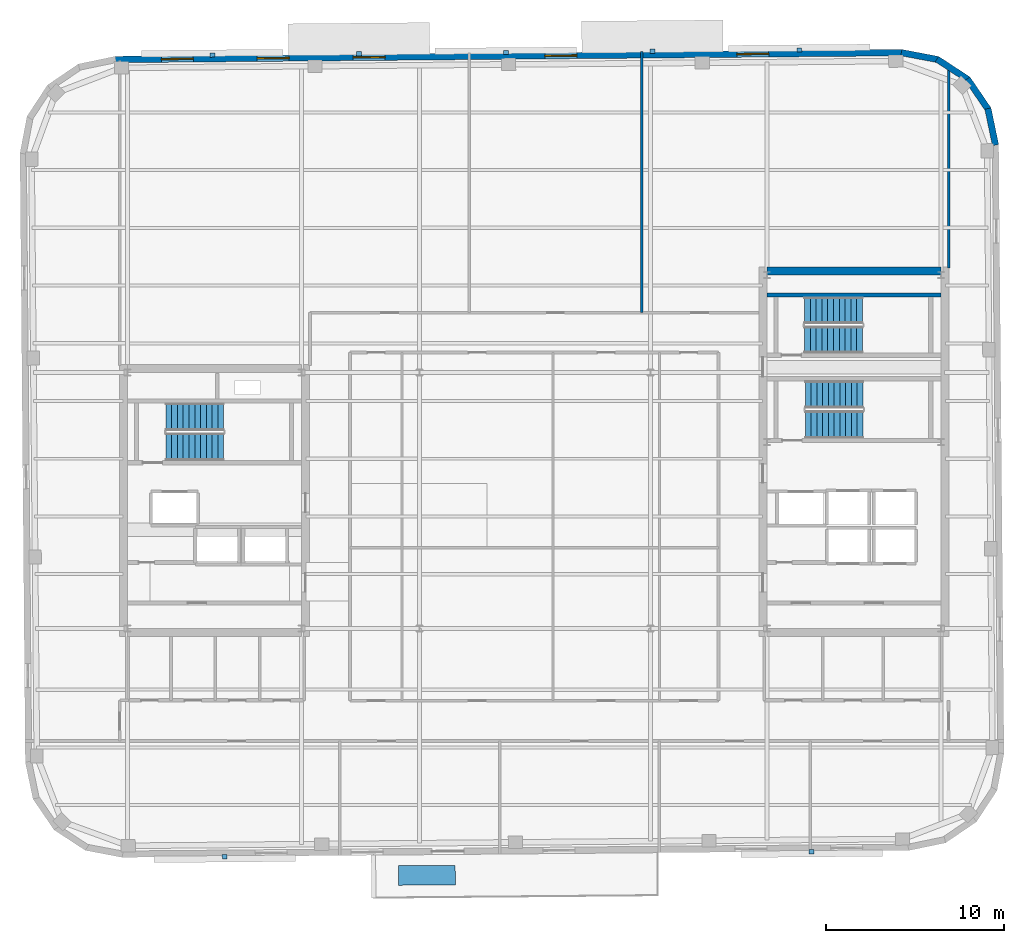
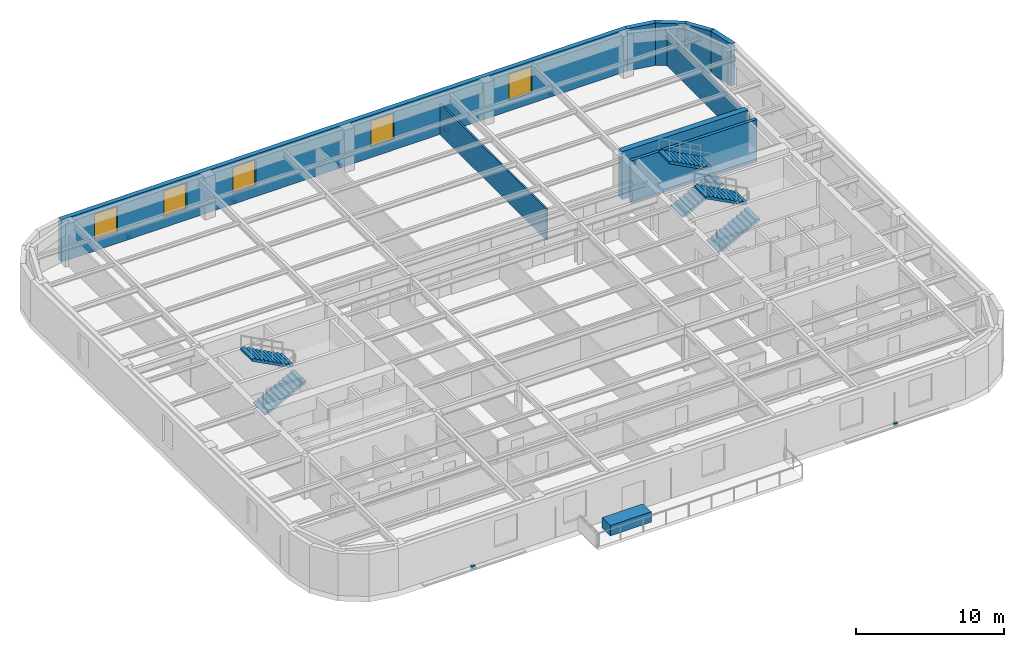
# One storey, part 10 of 14: 9 walls, 8 discrete accessories, 6 stair flights, 5 windows, 5 openings, 3 elements without a shape of their own.
"""IFC4 building model written with IfcOpenShell, lengths in metres."""

import ifcopenshell
import ifcopenshell.guid

model = None  # the IFC model being written
_history = None  # IfcOwnerHistory: only IFC2X3 demands one
_inside = {}  # id of a spatial element -> (the spatial element, [elements in it])
_under = {}  # id of a project, library or spatial element -> (it, [spatial elements below it])
_declared = {}  # id of a project -> (the project, [libraries it declares])
_typed = {}  # id of a type object -> (the type object, [elements of that type])
_made_of = {}  # id of a material, layer set ... -> (it, [elements and type objects made of it])


def new_model(schema):
    """Start an empty IFC model of exactly this schema.

    Asked for "IFC4X3", IfcOpenShell would pick the latest addendum, in which some entities
    have other attributes; the version numbers below select the first issue.
    IFC2X3 requires an IfcOwnerHistory on every rooted entity: one is made here for all.
    """
    global model, _history
    if schema == "IFC4X3":
        model = ifcopenshell.file(schema_version=(4, 3, 0, 0))
    else:
        model = ifcopenshell.file(schema=schema)
    _inside.clear()
    _under.clear()
    _declared.clear()
    _typed.clear()
    _made_of.clear()
    _history = None
    if model.schema == "IFC2X3":
        org = make("IfcOrganization", Name="unknown")
        user = make(
            "IfcPersonAndOrganization",
            ThePerson=make("IfcPerson", FamilyName="unknown"),
            TheOrganization=org,
        )
        app = make(
            "IfcApplication",
            ApplicationDeveloper=org,
            Version="unknown",
            ApplicationFullName="unknown",
            ApplicationIdentifier="unknown",
        )
        _history = make(
            "IfcOwnerHistory",
            OwningUser=user,
            OwningApplication=app,
            ChangeAction="ADDED",
            CreationDate=0,
        )
    return model


def make(cls, **values):
    """One entity of the class cls with the attributes given. An attribute that is None is left unset."""
    return model.create_entity(
        cls, **{name: value for name, value in values.items() if value is not None}
    )


def rooted(cls, **values):
    """An entity with a GlobalId (a new one), such as an element, a storey or a relation."""
    return make(cls, GlobalId=ifcopenshell.guid.new(), OwnerHistory=_history, **values)


def si_unit(unit_type, name, prefix=None):
    """IfcSIUnit, for example si_unit("LENGTHUNIT", "METRE", prefix="MILLI")."""
    return make("IfcSIUnit", UnitType=unit_type, Prefix=prefix, Name=name)


def assignment(units):
    """IfcUnitAssignment: the units of a project."""
    return None if units is None else make("IfcUnitAssignment", Units=units)


def point(xyz):
    """IfcCartesianPoint."""
    return None if xyz is None else make("IfcCartesianPoint", Coordinates=xyz)


def direction(xyz):
    """IfcDirection."""
    return None if xyz is None else make("IfcDirection", DirectionRatios=xyz)


def frame(location, z_axis=None, x_axis=None):
    """IfcAxis2Placement3D, a coordinate frame: its origin and axes. An axis left out is left unset."""
    return make(
        "IfcAxis2Placement3D",
        Location=point(location),
        Axis=direction(z_axis),
        RefDirection=direction(x_axis),
    )


def frame_2d(location, x_axis=None):
    """IfcAxis2Placement2D, a coordinate frame in the plane: its origin and x axis."""
    return make(
        "IfcAxis2Placement2D", Location=point(location), RefDirection=direction(x_axis)
    )


def origin():
    """The frame at (0, 0, 0) with its axes left unset."""
    return frame((0.0, 0.0, 0.0))


def origin_2d():
    """The frame at (0, 0) in the plane with its x axis left unset."""
    return frame_2d((0.0, 0.0))


def place(relative_to, where):
    """IfcLocalPlacement: puts the frame where relative to a parent placement (None: the world)."""
    return make(
        "IfcLocalPlacement", PlacementRelTo=relative_to, RelativePlacement=where
    )


def context(
    kind, dimensions, precision=None, world=None, true_north=None, identifier=None
):
    """IfcGeometricRepresentationContext, for example the 3D "Model" context."""
    return make(
        "IfcGeometricRepresentationContext",
        ContextIdentifier=identifier,
        ContextType=kind,
        CoordinateSpaceDimension=dimensions,
        Precision=precision,
        WorldCoordinateSystem=world,
        TrueNorth=true_north,
    )


def subcontext(parent, identifier, kind, view, scale=None):
    """IfcGeometricRepresentationSubContext, for example "Body" below "Model"."""
    return make(
        "IfcGeometricRepresentationSubContext",
        ContextIdentifier=identifier,
        ContextType=kind,
        ParentContext=parent,
        TargetScale=scale,
        TargetView=view,
    )


def project(units=None, contexts=None):
    """IfcProject with its units and contexts."""
    return rooted(
        "IfcProject",
        Name="project",
        RepresentationContexts=contexts,
        UnitsInContext=assignment(units),
    )


def spatial(cls, under=None, at=None, **own):
    """A site, building, storey or space (cls), placed at a placement, below another one or the project."""
    s = rooted(cls, ObjectPlacement=at, **own)
    if under is not None:
        _under.setdefault(under.id(), (under, []))[1].append(s)
    return s


def polyline(points):
    """IfcPolyline through the points."""
    return make("IfcPolyline", Points=[point(p) for p in points])


def profile(cls, at=None, kind="AREA", **sizes):
    """A parametric profile (cls). Its sizes go by their IFC names, for example OverallWidth=200.0."""
    return make(cls, ProfileType=kind, Position=at, **sizes)


def rectangle(**sizes):
    """IfcRectangleProfileDef."""
    return profile("IfcRectangleProfileDef", **sizes)


def outline(outer, holes=None, kind="AREA"):
    """IfcArbitraryClosedProfileDef: a profile drawn as a closed curve; with holes, ...WithVoids."""
    if holes is None:
        return make("IfcArbitraryClosedProfileDef", ProfileType=kind, OuterCurve=outer)
    return make(
        "IfcArbitraryProfileDefWithVoids",
        ProfileType=kind,
        OuterCurve=outer,
        InnerCurves=holes,
    )


def extrude(swept, where, along, depth):
    """IfcExtrudedAreaSolid: the profile swept, set in the frame where, extruded along a direction by depth."""
    return make(
        "IfcExtrudedAreaSolid",
        SweptArea=swept,
        Position=where,
        ExtrudedDirection=direction(along),
        Depth=depth,
    )


def shape(context_of_items, identifier, shape_type, items):
    """IfcShapeRepresentation: the items that make up one representation, for example the "Body"."""
    return make(
        "IfcShapeRepresentation",
        ContextOfItems=context_of_items,
        RepresentationIdentifier=identifier,
        RepresentationType=shape_type,
        Items=items,
    )


def material(Name=None, Category=None):
    """IfcMaterial."""
    return make("IfcMaterial", Name=Name, Category=Category)


def layer(
    of_material, thickness, ventilated=None, Name=None, Category=None, Priority=None
):
    """IfcMaterialLayer: one layer of a wall or slab, of a material (None: an air gap)."""
    return make(
        "IfcMaterialLayer",
        Material=of_material,
        LayerThickness=thickness,
        IsVentilated=ventilated,
        Name=Name,
        Category=Category,
        Priority=Priority,
    )


def layer_set(layers, Name=None):
    """IfcMaterialLayerSet."""
    return make("IfcMaterialLayerSet", MaterialLayers=layers, LayerSetName=Name)


def made_of(thing, what):
    """Note that an element or type object is made of a material, layer set ...; save() writes the relation."""
    if what is not None:
        _made_of.setdefault(what.id(), (what, []))[1].append(thing)
    return thing


def type_object(cls, material=None, **own):
    """A type object (cls), such as IfcWallType, which elements share."""
    return made_of(rooted(cls, **own), material)


def element(
    cls,
    number,
    at=None,
    inside=None,
    cuts=None,
    type_object=None,
    material=None,
    context=None,
    identifier="Body",
    shape_type=None,
    held_by="IfcProductDefinitionShape",
    body=None,
    shapes=None,
    **own,
):
    """One element of the class cls, such as IfcWall. Its Tag is "e" and its number.

    at: its placement. inside: the storey or other place that contains it. cuts: it is an
    opening in that element (IfcRelVoidsElement). A single representation is given by context,
    identifier, shape_type and body (its items); several are given by shapes. held_by: the class
    of the entity that holds the representations. save() writes the other relations.
    """
    e = rooted(cls, Tag="e%d" % number, ObjectPlacement=at, **own)
    if body is not None:
        shapes = [shape(context, identifier, shape_type, body)]
    if shapes is not None:
        e.Representation = make(held_by, Representations=shapes)
    if inside is not None:
        _inside.setdefault(inside.id(), (inside, []))[1].append(e)
    if cuts is not None:
        rooted(
            "IfcRelVoidsElement", RelatingBuildingElement=cuts, RelatedOpeningElement=e
        )
    if type_object is not None:
        _typed.setdefault(type_object.id(), (type_object, []))[1].append(e)
    return made_of(e, material)


def fill(opening, filler):
    """IfcRelFillsElement: the door or window that sits in an opening."""
    return rooted(
        "IfcRelFillsElement",
        RelatingOpeningElement=opening,
        RelatedBuildingElement=filler,
    )


def aggregate(whole, parts):
    """IfcRelAggregates: a whole, such as a stair, and the parts it consists of."""
    return rooted("IfcRelAggregates", RelatingObject=whole, RelatedObjects=parts)


def save(model, path):
    """Write the relations noted so far, then the file.

    IfcRelAggregates (storeys below a building ...), IfcRelContainedInSpatialStructure (elements
    in a storey), IfcRelDefinesByType, IfcRelAssociatesMaterial and IfcRelDeclares: one each for
    every whole, place, type object, material and project.
    """
    for whole, parts in _under.values():
        aggregate(whole, parts)
    for where, things in _inside.values():
        rooted(
            "IfcRelContainedInSpatialStructure",
            RelatedElements=things,
            RelatingStructure=where,
        )
    for kind, things in _typed.values():
        rooted("IfcRelDefinesByType", RelatedObjects=things, RelatingType=kind)
    for what, things in _made_of.values():
        rooted("IfcRelAssociatesMaterial", RelatedObjects=things, RelatingMaterial=what)
    for by, libraries in _declared.values():
        rooted("IfcRelDeclares", RelatingContext=by, RelatedDefinitions=libraries)
    model.write(path)


model = new_model("IFC4")

# Units and contexts
model_context = context("Model", 3, precision=1e-05, world=origin(), true_north=direction((0.0, 1.0)))
body_context = subcontext(model_context, "Body", "Model", "MODEL_VIEW")
ifc_project = project(units=[si_unit("LENGTHUNIT", "METRE"), si_unit("AREAUNIT", "SQUARE_METRE"), si_unit("VOLUMEUNIT", "CUBIC_METRE"), si_unit("PLANEANGLEUNIT", "RADIAN"), si_unit("MASSUNIT", "GRAM", prefix="KILO")], contexts=[model_context])

# Site, building, storey
site_placement = place(None, origin())
site = spatial("IfcSite", under=ifc_project, at=site_placement, CompositionType="ELEMENT")
building_placement = place(site_placement, origin())
building = spatial("IfcBuilding", under=site, at=building_placement, Name="Kolvaren Arena Tower", CompositionType="ELEMENT")
storey_placement = place(building_placement, frame((0.0, 0.0, 274.89990234375)))
storey = spatial("IfcBuildingStorey", under=building, at=storey_placement, Name="L67", CompositionType="ELEMENT", Elevation=274.89990234375)

# Walls
ifc_material_1 = material(Name="Concrete 55 MPa", Category="concrete")
ifc_layer_1 = layer(ifc_material_1, 0.449951171875)
ifc_layer_set_1 = layer_set([ifc_layer_1], Name="Concrete 55 MPa")
wall_type_1 = type_object("IfcWallType", Name="CWALL-450", PredefinedType="SHEAR", material=ifc_layer_set_1)
wall_1_placement = place(storey_placement, frame((50.550048828125, 39.574951171875, -0.449951171875), z_axis=(0.0, 0.0, 1.0), x_axis=(1.0, 0.0, 0.0)))
element("IfcWall", 1, at=wall_1_placement, inside=storey, type_object=wall_type_1, Name="Core Shear Wall EC-NORTH (L67)", PredefinedType="SHEAR", context=body_context, shape_type="SweptSolid", body=[
    extrude(rectangle(XDim=9.800048828125, YDim=0.449951171875, at=frame_2d((4.89990234375, 0.0))), origin(), (0.0, 0.0, 1.0), 3.929931640625),
])
ifc_material_2 = material(Name="Precast concrete C50/60", Category="concrete")
ifc_layer_2 = layer(ifc_material_2, 0.360107421875)
ifc_layer_set_2 = layer_set([ifc_layer_2], Name="Precast concrete C50/60")
wall_type_2 = type_object("IfcWallType", Name="EXT-PIER2", PredefinedType="SOLIDWALL", material=ifc_layer_set_2)
for number, where, z_axis, x_axis, name in (
    (2, (62.993896484375, 48.7158203125, 0.0), (0.0, 0.0, 1.0), (0.203709000552, -0.979031482177, 0.0), "Exterior Precast Masonry-Frame Wall (L67)"),
    (3, (61.835693359375, 50.392822265625, 0.0), (0.0, 0.0, 1.0), (0.562829722645, -0.826572866302, 0.0), "Exterior Precast Masonry-Frame Wall (L67)"),
):
    element("IfcWall", number, at=place(storey_placement, frame(where, z_axis=z_axis, x_axis=x_axis)), inside=storey, type_object=wall_type_2, Name=name, PredefinedType="SOLIDWALL", context=body_context, shape_type="SweptSolid", body=[
        extrude(rectangle(XDim=2.10693359375, YDim=0.360107421875, at=frame_2d((1.053466796875, 0.0))), origin(), (0.0, 0.0, 1.0), 3.47998046875),
    ])
for number, where, z_axis, x_axis, name in (
    (4, (60.123779296875, 51.498779296875, 0.0), (0.0, 0.0, 1.0), (0.83632188969, -0.548238722478, 0.0), "Exterior Precast Masonry-Frame Wall (L67)"),
    (5, (58.118896484375, 51.865478515625, 0.0), (0.0, 0.0, 1.0), (0.982463107022, -0.186457081764, 0.0), "Exterior Precast Masonry-Frame Wall (L67)"),
):
    element("IfcWall", number, at=place(storey_placement, frame(where, z_axis=z_axis, x_axis=x_axis)), inside=storey, type_object=wall_type_2, Name=name, PredefinedType="SOLIDWALL", context=body_context, shape_type="SweptSolid", body=[
        extrude(rectangle(XDim=2.106689453125, YDim=0.360107421875, at=frame_2d((1.05322265625, 0.0))), origin(), (0.0, 0.0, 1.0), 3.47998046875),
    ])

# Wall, openings, windows
wall_2_placement = place(storey_placement, frame((13.855712890625, 51.475830078125, 0.0), z_axis=(0.0, 0.0, 1.0), x_axis=(0.999961944954, 0.008724026757, 0.0)))
wall_2 = element("IfcWall", 6, at=wall_2_placement, inside=storey, type_object=wall_type_2, Name="Exterior Precast Masonry-Frame Wall (L67)", PredefinedType="SOLIDWALL", context=body_context, shape_type="SweptSolid", body=[
    extrude(rectangle(XDim=44.300048828125, YDim=0.360107421875, at=frame_2d((22.14990234375, 0.0))), origin(), (0.0, 0.0, 1.0), 3.47998046875),
])
opening_1_placement = place(wall_2_placement, frame((2.60009765625, 0.0, 0.8798828125)))
opening_1 = element("IfcOpeningElement", 7, at=opening_1_placement, cuts=wall_2, Name="Opening W02", PredefinedType="OPENING", context=body_context, shape_type="SweptSolid", body=[
    extrude(rectangle(XDim=1.800048828125, YDim=2.14990234375, at=frame_2d((0.89990234375, 1.074951171875))), frame((0.0, 0.18994140625, 0.0), z_axis=(0.0, -1.0, 0.0), x_axis=(1.0, 0.0, 0.0)), (0.0, 0.0, 1.0), 0.380126953125),
])
opening_2_placement = place(wall_2_placement, frame((8.0, 0.0, 0.8798828125)))
opening_2 = element("IfcOpeningElement", 8, at=opening_2_placement, cuts=wall_2, Name="Opening W02", PredefinedType="OPENING", context=body_context, shape_type="SweptSolid", body=[
    extrude(rectangle(XDim=1.800048828125, YDim=2.14990234375, at=frame_2d((0.89990234375, 1.074951171875))), frame((0.0, 0.18994140625, 0.0), z_axis=(0.0, -1.0, 0.0), x_axis=(1.0, 0.0, 0.0)), (0.0, 0.0, 1.0), 0.380126953125),
])
opening_3_placement = place(wall_2_placement, frame((13.39990234375, 0.0, 0.8798828125)))
opening_3 = element("IfcOpeningElement", 9, at=opening_3_placement, cuts=wall_2, Name="Opening W02", PredefinedType="OPENING", context=body_context, shape_type="SweptSolid", body=[
    extrude(rectangle(XDim=1.800048828125, YDim=2.14990234375, at=frame_2d((0.89990234375, 1.074951171875))), frame((0.0, 0.18994140625, 0.0), z_axis=(0.0, -1.0, 0.0), x_axis=(1.0, 0.0, 0.0)), (0.0, 0.0, 1.0), 0.380126953125),
])
opening_4_placement = place(wall_2_placement, frame((24.199951171875, 0.0, 0.8798828125)))
opening_4 = element("IfcOpeningElement", 10, at=opening_4_placement, cuts=wall_2, Name="Opening W02", PredefinedType="OPENING", context=body_context, shape_type="SweptSolid", body=[
    extrude(rectangle(XDim=1.800048828125, YDim=2.14990234375, at=frame_2d((0.89990234375, 1.074951171875))), frame((0.0, 0.18994140625, 0.0), z_axis=(0.0, -1.0, 0.0), x_axis=(1.0, 0.0, 0.0)), (0.0, 0.0, 1.0), 0.380126953125),
])
opening_5_placement = place(wall_2_placement, frame((35.0, 0.0, 0.8798828125)))
opening_5 = element("IfcOpeningElement", 11, at=opening_5_placement, cuts=wall_2, Name="Opening W02", PredefinedType="OPENING", context=body_context, shape_type="SweptSolid", body=[
    extrude(rectangle(XDim=1.800048828125, YDim=2.14990234375, at=frame_2d((0.89990234375, 1.074951171875))), frame((0.0, 0.18994140625, 0.0), z_axis=(0.0, -1.0, 0.0), x_axis=(1.0, 0.0, 0.0)), (0.0, 0.0, 1.0), 0.380126953125),
])
ifc_material_3 = material(Name="Triple-glazed low-E aluminium window", Category="aluminium")
window_type = type_object("IfcWindowType", Name="WIN-OFF-B", PartitioningType="DOUBLE_PANEL_VERTICAL", PredefinedType="WINDOW", material=ifc_material_3)
window_1_placement = place(opening_1_placement, origin())
window_1 = element("IfcWindow", 12, at=window_1_placement, inside=storey, type_object=window_type, Name="Punched Precast-Pier Window (L67)", OverallHeight=2.14990234375, OverallWidth=1.800048828125, PartitioningType="DOUBLE_PANEL_VERTICAL", PredefinedType="WINDOW", context=body_context, shape_type="SweptSolid", body=[
    extrude(rectangle(XDim=1.800048828125, YDim=2.14990234375, at=frame_2d((0.89990234375, 1.074951171875))), frame((0.0, 0.030029296875, 0.0), z_axis=(0.0, -1.0, 0.0), x_axis=(1.0, 0.0, 0.0)), (0.0, 0.0, 1.0), 0.06005859375),
])
fill(opening_1, window_1)
window_2_placement = place(opening_2_placement, origin())
window_2 = element("IfcWindow", 13, at=window_2_placement, inside=storey, type_object=window_type, Name="Punched Precast-Pier Window (L67)", OverallHeight=2.14990234375, OverallWidth=1.800048828125, PartitioningType="DOUBLE_PANEL_VERTICAL", PredefinedType="WINDOW", context=body_context, shape_type="SweptSolid", body=[
    extrude(rectangle(XDim=1.800048828125, YDim=2.14990234375, at=frame_2d((0.89990234375, 1.074951171875))), frame((0.0, 0.030029296875, 0.0), z_axis=(0.0, -1.0, 0.0), x_axis=(1.0, 0.0, 0.0)), (0.0, 0.0, 1.0), 0.06005859375),
])
fill(opening_2, window_2)
window_3_placement = place(opening_3_placement, origin())
window_3 = element("IfcWindow", 14, at=window_3_placement, inside=storey, type_object=window_type, Name="Punched Precast-Pier Window (L67)", OverallHeight=2.14990234375, OverallWidth=1.800048828125, PartitioningType="DOUBLE_PANEL_VERTICAL", PredefinedType="WINDOW", context=body_context, shape_type="SweptSolid", body=[
    extrude(rectangle(XDim=1.800048828125, YDim=2.14990234375, at=frame_2d((0.89990234375, 1.074951171875))), frame((0.0, 0.030029296875, 0.0), z_axis=(0.0, -1.0, 0.0), x_axis=(1.0, 0.0, 0.0)), (0.0, 0.0, 1.0), 0.06005859375),
])
fill(opening_3, window_3)
window_4_placement = place(opening_4_placement, origin())
window_4 = element("IfcWindow", 15, at=window_4_placement, inside=storey, type_object=window_type, Name="Punched Precast-Pier Window (L67)", OverallHeight=2.14990234375, OverallWidth=1.800048828125, PartitioningType="DOUBLE_PANEL_VERTICAL", PredefinedType="WINDOW", context=body_context, shape_type="SweptSolid", body=[
    extrude(rectangle(XDim=1.800048828125, YDim=2.14990234375, at=frame_2d((0.89990234375, 1.074951171875))), frame((0.0, 0.030029296875, 0.0), z_axis=(0.0, -1.0, 0.0), x_axis=(1.0, 0.0, 0.0)), (0.0, 0.0, 1.0), 0.06005859375),
])
fill(opening_4, window_4)
window_5_placement = place(opening_5_placement, origin())
window_5 = element("IfcWindow", 16, at=window_5_placement, inside=storey, type_object=window_type, Name="Punched Precast-Pier Window (L67)", OverallHeight=2.14990234375, OverallWidth=1.800048828125, PartitioningType="DOUBLE_PANEL_VERTICAL", PredefinedType="WINDOW", context=body_context, shape_type="SweptSolid", body=[
    extrude(rectangle(XDim=1.800048828125, YDim=2.14990234375, at=frame_2d((0.89990234375, 1.074951171875))), frame((0.0, 0.030029296875, 0.0), z_axis=(0.0, -1.0, 0.0), x_axis=(1.0, 0.0, 0.0)), (0.0, 0.0, 1.0), 0.06005859375),
])
fill(opening_5, window_5)

# Walls
ifc_material_4 = material(Name="Gypsum board partition assembly", Category="gypsum")
ifc_layer_3 = layer(ifc_material_4, 0.135009765625)
ifc_layer_set_3 = layer_set([ifc_layer_3], Name="Gypsum board partition assembly")
wall_type_3 = type_object("IfcWallType", Name="PART-135", PredefinedType="PARTITIONING", material=ifc_layer_set_3)
wall_3_placement = place(storey_placement, frame((43.5, 37.219970703125, 0.0), z_axis=(0.0, 0.0, 1.0), x_axis=(0.0, 1.0, 0.0)))
element("IfcWall", 17, at=wall_3_placement, inside=storey, type_object=wall_type_3, Name="Interior Partition Wall (L67)", PredefinedType="PARTITIONING", context=body_context, shape_type="SweptSolid", body=[
    extrude(rectangle(XDim=14.694580078125, YDim=0.135009765625, at=frame_2d((7.34716796875, 0.0))), origin(), (0.0, 0.0, 1.0), 2.5400390625),
])
wall_4_placement = place(storey_placement, frame((60.780029296875, 39.75, 0.0), z_axis=(0.0, 0.0, 1.0), x_axis=(0.0, 1.0, 0.0)))
element("IfcWall", 18, at=wall_4_placement, inside=storey, type_object=wall_type_3, Name="Interior Partition Wall (L67)", PredefinedType="PARTITIONING", context=body_context, shape_type="SweptSolid", body=[
    extrude(rectangle(XDim=11.246826171875, YDim=0.135009765625, at=frame_2d((5.62353515625, 0.0))), origin(), (0.0, 0.0, 1.0), 2.5400390625),
])
ifc_material_5 = material(Name="Concrete 45 MPa", Category="concrete")
ifc_layer_4 = layer(ifc_material_5, 0.25)
ifc_layer_set_4 = layer_set([ifc_layer_4], Name="Concrete 45 MPa")
wall_type_4 = type_object("IfcWallType", Name="SHAFT-250", PredefinedType="SOLIDWALL", material=ifc_layer_set_4)
wall_5_placement = place(storey_placement, frame((50.550048828125, 38.219970703125, 0.0), z_axis=(0.0, 0.0, 1.0), x_axis=(1.0, 0.0, 0.0)))
element("IfcWall", 19, at=wall_5_placement, inside=storey, type_object=wall_type_4, Name="Core Shaft Wall (L67)", PredefinedType="SOLIDWALL", context=body_context, shape_type="SweptSolid", body=[
    extrude(rectangle(XDim=9.800048828125, YDim=0.239990234375, at=frame_2d((4.89990234375, 0.0))), origin(), (0.0, 0.0, 1.0), 3.47998046875),
])

# Stair, stair flights
stair_type_1 = type_object("IfcStairType", Name="STAIR-CORE-150", PredefinedType="HALF_TURN_STAIR", material=ifc_material_5)
stair_1_placement = place(storey_placement, origin())
stair_1 = element("IfcStair", 20, at=stair_1_placement, inside=storey, type_object=stair_type_1, Name="L67 ST-E2", PredefinedType="HALF_TURN_STAIR")
stair_flight_type_1 = type_object("IfcStairFlightType", Name="FLT-150", PredefinedType="STRAIGHT", material=ifc_material_5)
stair_flight_1_placement = place(storey_placement, frame((52.679931640625, 35.699951171875, 0.0), z_axis=(0.0, 0.0, 1.0), x_axis=(1.0, 0.0, 0.0)))
stair_flight_1 = element("IfcStairFlight", 21, at=stair_flight_1_placement, type_object=stair_flight_type_1, Name="ST-E2 flight 1", NumberOfRisers=11, NumberOfTreads=10, PredefinedType="STRAIGHT", RiserHeight=0.170454545, TreadLength=0.324, context=body_context, shape_type="SweptSolid", body=[
    extrude(outline(polyline([(0.0, 0.0), (0.0, 0.17041015625), (0.323974609375, 0.17041015625), (0.323974609375, 0.3408203125), (0.64794921875, 0.3408203125), (0.64794921875, 0.511474609375), (0.971923828125, 0.511474609375), (0.971923828125, 0.681884765625), (1.2958984375, 0.681884765625), (1.2958984375, 0.852294921875), (1.6201171875, 0.852294921875), (1.6201171875, 1.022705078125), (1.944091796875, 1.022705078125), (1.944091796875, 1.193115234375), (2.26806640625, 1.193115234375), (2.26806640625, 1.363525390625), (2.592041015625, 1.363525390625), (2.592041015625, 1.5341796875), (2.916015625, 1.5341796875), (2.916015625, 1.70458984375), (3.239990234375, 1.70458984375), (3.239990234375, 1.875), (3.239990234375, 1.53515625), (0.322021484375, 0.0), (0.0, 0.0)])), frame((0.0, 0.75, 0.0), z_axis=(0.0, -1.0, 0.0), x_axis=(1.0, 0.0, 0.0)), (0.0, 0.0, 1.0), 1.5),
])
stair_flight_2_placement = place(storey_placement, frame((55.919921875, 37.35009765625, 1.875), z_axis=(0.0, 0.0, 1.0), x_axis=(-1.0, 0.0, 0.0)))
stair_flight_2 = element("IfcStairFlight", 22, at=stair_flight_2_placement, type_object=stair_flight_type_1, Name="ST-E2 flight 2", NumberOfRisers=11, NumberOfTreads=10, PredefinedType="STRAIGHT", RiserHeight=0.170454545, TreadLength=0.324, context=body_context, shape_type="SweptSolid", body=[
    extrude(outline(polyline([(0.0, 0.0), (0.0, 0.17041015625), (0.323974609375, 0.17041015625), (0.323974609375, 0.3408203125), (0.64794921875, 0.3408203125), (0.64794921875, 0.511474609375), (0.971923828125, 0.511474609375), (0.971923828125, 0.681884765625), (1.2958984375, 0.681884765625), (1.2958984375, 0.852294921875), (1.6201171875, 0.852294921875), (1.6201171875, 1.022705078125), (1.944091796875, 1.022705078125), (1.944091796875, 1.193115234375), (2.26806640625, 1.193115234375), (2.26806640625, 1.363525390625), (2.592041015625, 1.363525390625), (2.592041015625, 1.5341796875), (2.916015625, 1.5341796875), (2.916015625, 1.70458984375), (3.239990234375, 1.70458984375), (3.239990234375, 1.875), (3.239990234375, 1.53515625), (0.322021484375, 0.0), (0.0, 0.0)])), frame((0.0, 0.75, 0.0), z_axis=(0.0, -1.0, 0.0), x_axis=(1.0, 0.0, 0.0)), (0.0, 0.0, 1.0), 1.5),
])
aggregate(stair_1, [stair_flight_1, stair_flight_2])

stair_type_2 = type_object("IfcStairType", Name="STAIR-CORE-165", PredefinedType="HALF_TURN_STAIR", material=ifc_material_5)
stair_2_placement = place(storey_placement, origin())
stair_2 = element("IfcStair", 23, at=stair_2_placement, inside=storey, type_object=stair_type_2, Name="L67 ST-W1", PredefinedType="HALF_TURN_STAIR")
stair_flight_type_2 = type_object("IfcStairFlightType", Name="FLT-165", PredefinedType="STRAIGHT", material=ifc_material_5)
stair_flight_3_placement = place(storey_placement, frame((16.719970703125, 29.669921875, 0.0), z_axis=(0.0, 0.0, 1.0), x_axis=(1.0, 0.0, 0.0)))
stair_flight_3 = element("IfcStairFlight", 24, at=stair_flight_3_placement, type_object=stair_flight_type_2, Name="ST-W1 flight 1", NumberOfRisers=11, NumberOfTreads=10, PredefinedType="STRAIGHT", RiserHeight=0.170454545, TreadLength=0.324, context=body_context, shape_type="SweptSolid", body=[
    extrude(outline(polyline([(0.0, 0.0), (0.0, 0.17041015625), (0.323974609375, 0.17041015625), (0.323974609375, 0.3408203125), (0.64794921875, 0.3408203125), (0.64794921875, 0.511474609375), (0.971923828125, 0.511474609375), (0.971923828125, 0.681884765625), (1.2958984375, 0.681884765625), (1.2958984375, 0.852294921875), (1.6201171875, 0.852294921875), (1.6201171875, 1.022705078125), (1.944091796875, 1.022705078125), (1.944091796875, 1.193115234375), (2.26806640625, 1.193115234375), (2.26806640625, 1.363525390625), (2.592041015625, 1.363525390625), (2.592041015625, 1.5341796875), (2.916015625, 1.5341796875), (2.916015625, 1.70458984375), (3.239990234375, 1.70458984375), (3.239990234375, 1.875), (3.239990234375, 1.53515625), (0.322021484375, 0.0), (0.0, 0.0)])), frame((0.0, 0.77001953125, 0.0), z_axis=(0.0, -1.0, 0.0), x_axis=(1.0, 0.0, 0.0)), (0.0, 0.0, 1.0), 1.5400390625),
])
stair_flight_4_placement = place(storey_placement, frame((19.9599609375, 31.360107421875, 1.875), z_axis=(0.0, 0.0, 1.0), x_axis=(-1.0, 0.0, 0.0)))
stair_flight_4 = element("IfcStairFlight", 25, at=stair_flight_4_placement, type_object=stair_flight_type_2, Name="ST-W1 flight 2", NumberOfRisers=11, NumberOfTreads=10, PredefinedType="STRAIGHT", RiserHeight=0.170454545, TreadLength=0.324, context=body_context, shape_type="SweptSolid", body=[
    extrude(outline(polyline([(0.0, 0.0), (0.0, 0.17041015625), (0.323974609375, 0.17041015625), (0.323974609375, 0.3408203125), (0.64794921875, 0.3408203125), (0.64794921875, 0.511474609375), (0.971923828125, 0.511474609375), (0.971923828125, 0.681884765625), (1.2958984375, 0.681884765625), (1.2958984375, 0.852294921875), (1.6201171875, 0.852294921875), (1.6201171875, 1.022705078125), (1.944091796875, 1.022705078125), (1.944091796875, 1.193115234375), (2.26806640625, 1.193115234375), (2.26806640625, 1.363525390625), (2.592041015625, 1.363525390625), (2.592041015625, 1.5341796875), (2.916015625, 1.5341796875), (2.916015625, 1.70458984375), (3.239990234375, 1.70458984375), (3.239990234375, 1.875), (3.239990234375, 1.53515625), (0.322021484375, 0.0), (0.0, 0.0)])), frame((0.0, 0.77001953125, 0.0), z_axis=(0.0, -1.0, 0.0), x_axis=(1.0, 0.0, 0.0)), (0.0, 0.0, 1.0), 1.5400390625),
])
aggregate(stair_2, [stair_flight_3, stair_flight_4])

stair_3_placement = place(storey_placement, origin())
stair_3 = element("IfcStair", 26, at=stair_3_placement, inside=storey, type_object=stair_type_2, Name="L67 ST-E1", PredefinedType="HALF_TURN_STAIR")
stair_flight_5_placement = place(storey_placement, frame((52.719970703125, 30.919921875, 0.0), z_axis=(0.0, 0.0, 1.0), x_axis=(1.0, 0.0, 0.0)))
stair_flight_5 = element("IfcStairFlight", 27, at=stair_flight_5_placement, type_object=stair_flight_type_2, Name="ST-E1 flight 1", NumberOfRisers=11, NumberOfTreads=10, PredefinedType="STRAIGHT", RiserHeight=0.170454545, TreadLength=0.324, context=body_context, shape_type="SweptSolid", body=[
    extrude(outline(polyline([(0.0, 0.0), (0.0, 0.17041015625), (0.323974609375, 0.17041015625), (0.323974609375, 0.3408203125), (0.64794921875, 0.3408203125), (0.64794921875, 0.511474609375), (0.971923828125, 0.511474609375), (0.971923828125, 0.681884765625), (1.2958984375, 0.681884765625), (1.2958984375, 0.852294921875), (1.6201171875, 0.852294921875), (1.6201171875, 1.022705078125), (1.944091796875, 1.022705078125), (1.944091796875, 1.193115234375), (2.26806640625, 1.193115234375), (2.26806640625, 1.363525390625), (2.592041015625, 1.363525390625), (2.592041015625, 1.5341796875), (2.916015625, 1.5341796875), (2.916015625, 1.70458984375), (3.239990234375, 1.70458984375), (3.239990234375, 1.875), (3.239990234375, 1.53515625), (0.322021484375, 0.0), (0.0, 0.0)])), frame((0.0, 0.77001953125, 0.0), z_axis=(0.0, -1.0, 0.0), x_axis=(1.0, 0.0, 0.0)), (0.0, 0.0, 1.0), 1.5400390625),
])
stair_flight_6_placement = place(storey_placement, frame((55.9599609375, 32.610107421875, 1.875), z_axis=(0.0, 0.0, 1.0), x_axis=(-1.0, 0.0, 0.0)))
stair_flight_6 = element("IfcStairFlight", 28, at=stair_flight_6_placement, type_object=stair_flight_type_2, Name="ST-E1 flight 2", NumberOfRisers=11, NumberOfTreads=10, PredefinedType="STRAIGHT", RiserHeight=0.170454545, TreadLength=0.324, context=body_context, shape_type="SweptSolid", body=[
    extrude(outline(polyline([(0.0, 0.0), (0.0, 0.17041015625), (0.323974609375, 0.17041015625), (0.323974609375, 0.3408203125), (0.64794921875, 0.3408203125), (0.64794921875, 0.511474609375), (0.971923828125, 0.511474609375), (0.971923828125, 0.681884765625), (1.2958984375, 0.681884765625), (1.2958984375, 0.852294921875), (1.6201171875, 0.852294921875), (1.6201171875, 1.022705078125), (1.944091796875, 1.022705078125), (1.944091796875, 1.193115234375), (2.26806640625, 1.193115234375), (2.26806640625, 1.363525390625), (2.592041015625, 1.363525390625), (2.592041015625, 1.5341796875), (2.916015625, 1.5341796875), (2.916015625, 1.70458984375), (3.239990234375, 1.70458984375), (3.239990234375, 1.875), (3.239990234375, 1.53515625), (0.322021484375, 0.0), (0.0, 0.0)])), frame((0.0, 0.77001953125, 0.0), z_axis=(0.0, -1.0, 0.0), x_axis=(1.0, 0.0, 0.0)), (0.0, 0.0, 1.0), 1.5400390625),
])
aggregate(stair_3, [stair_flight_5, stair_flight_6])

# Discrete accessories
ifc_material_6 = material(Name="Stainless steel facade support bracket", Category="steel")
discrete_accessory_type_1 = type_object("IfcDiscreteAccessoryType", Name="ACC-BRKT-1", PredefinedType="BRACKET", material=ifc_material_6)
for number, where, z_axis, x_axis, name in (
    (29, (19.333740234375, 51.7236328125, -0.1796875), (0.0, 0.0, 1.0), (0.999961923064, 0.008726535498, 0.0), "Sunshade Support Bracket (L67)"),
    (30, (27.593505859375, 51.795654296875, -0.1796875), (0.0, 0.0, 1.0), (0.999961923064, 0.008726535498, 0.0), "Sunshade Support Bracket (L67)"),
    (31, (35.85302734375, 51.867919921875, -0.1796875), (0.0, 0.0, 1.0), (0.999961923064, 0.008726535498, 0.0), "Sunshade Support Bracket (L67)"),
    (32, (44.11279296875, 51.93994140625, -0.1796875), (0.0, 0.0, 1.0), (0.999961923064, 0.008726535498, 0.0), "Sunshade Support Bracket (L67)"),
    (33, (52.372314453125, 52.011962890625, -0.1796875), (0.0, 0.0, 1.0), (0.999961923064, 0.008726535498, 0.0), "Sunshade Support Bracket (L67)"),
    (34, (53.06640625, 6.87646484375, -0.1796875), (0.0, 0.0, 1.0), (-0.999961923064, -0.008726535498, 0.0), "Sunshade Support Bracket (L67)"),
    (35, (20.027587890625, 6.587890625, -0.1796875), (0.0, 0.0, 1.0), (-0.999961923064, -0.008726535498, 0.0), "Sunshade Support Bracket (L67)"),
):
    element("IfcDiscreteAccessory", number, at=place(storey_placement, frame(where, z_axis=z_axis, x_axis=x_axis)), inside=storey, type_object=discrete_accessory_type_1, Name=name, PredefinedType="BRACKET", context=body_context, shape_type="SweptSolid", body=[
        extrude(rectangle(XDim=0.280029296875, YDim=0.239990234375, at=origin_2d()), origin(), (0.0, 0.0, 1.0), 0.239990234375),
    ])
ifc_material_7 = material(Name="Precast concrete C45/55 structural planter with planting soil", Category="concrete")
discrete_accessory_type_2 = type_object("IfcDiscreteAccessoryType", Name="ACC-PLNT-1", PredefinedType="USERDEFINED", material=ifc_material_7)
discrete_accessory_placement = place(storey_placement, frame((31.4072265625, 5.55078125, 0.0), z_axis=(0.0, 0.0, 1.0), x_axis=(0.999961923064, 0.008726535498, 0.0)))
element("IfcDiscreteAccessory", 36, at=discrete_accessory_placement, inside=storey, type_object=discrete_accessory_type_2, Name="Planted Terrace Soil Planter (L67)", ObjectType="PLANTER", PredefinedType="USERDEFINED", context=body_context, shape_type="SweptSolid", body=[
    extrude(rectangle(XDim=3.199951171875, YDim=1.10009765625, at=origin_2d()), origin(), (0.0, 0.0, 1.0), 0.85009765625),
])

save(model, "model.ifc")
